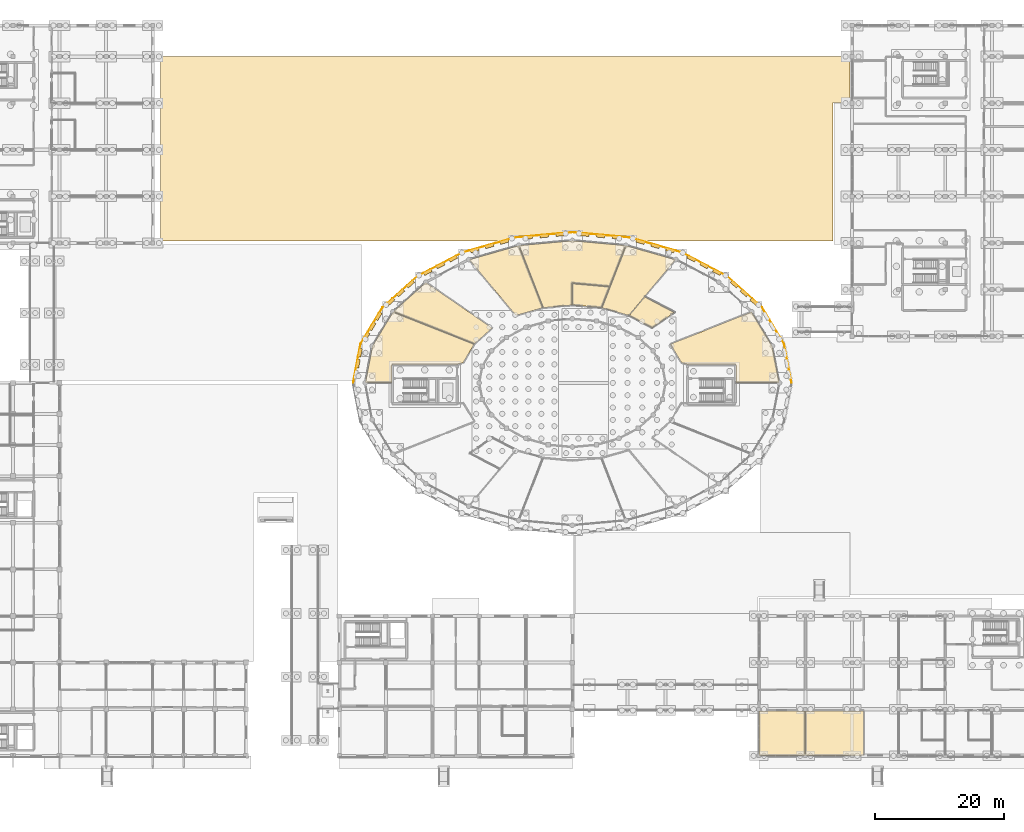
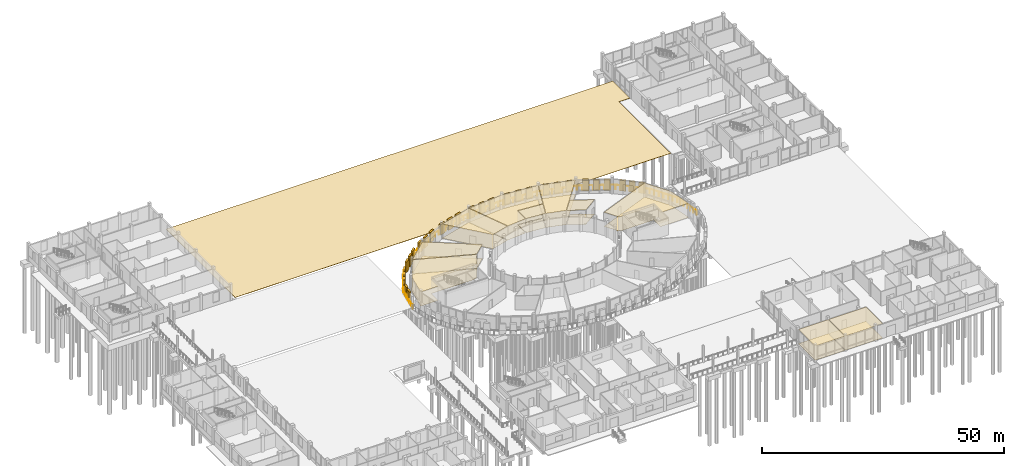
# One storey, part 95 of 98: 29 shading devices, 21 coverings, 2 railings.
"""IFC4 building model written with IfcOpenShell, lengths in metres."""

from ifc_helpers import new_model, si_unit, direction, frame, origin, origin_2d, place, context, subcontext, project, spatial, polyline, rectangle, circle, outline, extrude, material, layer, layer_set, type_object, element, save


model = new_model("IFC4")

# Units and contexts
model_context = context("Model", 3, precision=1e-05, world=origin(), true_north=direction((0.0, 1.0)))
body_context = subcontext(model_context, "Body", "Model", "MODEL_VIEW")
ifc_project = project(units=[si_unit("LENGTHUNIT", "METRE"), si_unit("AREAUNIT", "SQUARE_METRE"), si_unit("VOLUMEUNIT", "CUBIC_METRE"), si_unit("PLANEANGLEUNIT", "RADIAN"), si_unit("MASSUNIT", "GRAM", prefix="KILO")], contexts=[model_context])

# Site, building, storey
site_placement = place(None, origin())
site = spatial("IfcSite", under=ifc_project, at=site_placement, CompositionType="ELEMENT")
building_placement = place(site_placement, origin())
building = spatial("IfcBuilding", under=site, at=building_placement, Name="Zornivar Specialist Clinic", CompositionType="ELEMENT")
storey_placement = place(building_placement, origin())
storey = spatial("IfcBuildingStorey", under=building, at=storey_placement, Name="L00", CompositionType="ELEMENT", Elevation=0.0)

# Coverings
ifc_material_1 = material(Name="Washable Acoustic Mineral Clinical Ceiling")
ifc_layer_1 = layer(ifc_material_1, 0.01806640625)
ifc_layer_set_1 = layer_set([ifc_layer_1], Name="Washable Acoustic Mineral Clinical Ceiling")
covering_type_1 = type_object("IfcCoveringType", Name="COV-CEIL-CLIN-18", PredefinedType="CEILING", material=ifc_layer_set_1)
covering_1_placement = place(storey_placement, frame((0.0, 0.0, 3.572021484375)))
element("IfcCovering", 1, at=covering_1_placement, inside=storey, type_object=covering_type_1, Name="ceil:space:V1:L00:rm:01", PredefinedType="CEILING", context=body_context, shape_type="SweptSolid", body=[
    extrude(outline(polyline([(118.840087890625, 60.43994140625), (111.406005859375, 60.43994140625), (110.471923828125, 60.737060546875), (108.762939453125, 63.574951171875), (121.2958984375, 68.550048828125), (124.471923828125, 63.279052734375), (125.552001953125, 57.639892578125), (118.840087890625, 57.639892578125), (118.840087890625, 60.43994140625)])), origin(), (0.0, 0.0, 1.0), 0.01806640625),
])
covering_2_placement = place(storey_placement, frame((0.0, 0.0, 3.572021484375)))
element("IfcCovering", 2, at=covering_2_placement, inside=storey, type_object=covering_type_1, Name="ceil:space:V1:L00:rm:02", PredefinedType="CEILING", context=body_context, shape_type="SweptSolid", body=[
    extrude(outline(polyline([(104.804931640625, 70.881103515625), (109.35498046875, 68.47998046875), (105.928955078125, 66.125), (102.383056640625, 67.99609375), (104.804931640625, 70.881103515625)])), origin(), (0.0, 0.0, 1.0), 0.01806640625),
])
covering_3_placement = place(storey_placement, frame((0.0, 0.0, 3.572021484375)))
element("IfcCovering", 3, at=covering_3_placement, inside=storey, type_object=covering_type_1, Name="ceil:space:V1:L00:rm:03", PredefinedType="CEILING", context=body_context, shape_type="SweptSolid", body=[
    extrude(outline(polyline([(101.906005859375, 78.802001953125), (109.530029296875, 76.631103515625), (102.305908203125, 68.030029296875), (98.1669921875, 69.20703125), (101.906005859375, 78.802001953125)])), origin(), (0.0, 0.0, 1.0), 0.01806640625),
])
covering_4_placement = place(storey_placement, frame((0.0, 0.0, 3.572021484375)))
element("IfcCovering", 4, at=covering_4_placement, inside=storey, type_object=covering_type_1, Name="ceil:space:V1:L00:rm:04", PredefinedType="CEILING", context=body_context, shape_type="SweptSolid", body=[
    extrude(outline(polyline([(93.639892578125, 72.948974609375), (99.337890625, 72.43310546875), (98.087890625, 69.22412109375), (93.639892578125, 69.626953125), (93.639892578125, 72.948974609375)])), origin(), (0.0, 0.0, 1.0), 0.01806640625),
])
covering_5_placement = place(storey_placement, frame((0.0, 0.0, 3.572021484375)))
element("IfcCovering", 5, at=covering_5_placement, inside=storey, type_object=covering_type_1, Name="ceil:space:V1:L00:rm:05", PredefinedType="CEILING", context=body_context, shape_type="SweptSolid", body=[
    extrude(outline(polyline([(85.375, 78.81494140625), (93.60009765625, 79.56005859375), (101.824951171875, 78.81494140625), (99.368896484375, 72.510986328125), (93.56005859375, 73.037109375), (93.56005859375, 69.626953125), (89.112060546875, 69.22412109375), (85.375, 78.81494140625)])), origin(), (0.0, 0.0, 1.0), 0.01806640625),
])
covering_6_placement = place(storey_placement, frame((0.0, 0.0, 3.572021484375)))
element("IfcCovering", 6, at=covering_6_placement, inside=storey, type_object=covering_type_1, Name="ceil:space:V1:L00:rm:06", PredefinedType="CEILING", context=body_context, shape_type="SweptSolid", body=[
    extrude(outline(polyline([(77.669921875, 76.631103515625), (85.2939453125, 78.802001953125), (89.032958984375, 69.20703125), (84.89404296875, 68.030029296875), (77.669921875, 76.631103515625)])), origin(), (0.0, 0.0, 1.0), 0.01806640625),
])
covering_7_placement = place(storey_placement, frame((0.0, 0.0, 3.572021484375)))
element("IfcCovering", 7, at=covering_7_placement, inside=storey, type_object=covering_type_1, Name="ceil:space:V1:L00:rm:07", PredefinedType="CEILING", context=body_context, shape_type="SweptSolid", body=[
    extrude(outline(polyline([(65.9619140625, 68.613037109375), (70.97607421875, 73.10498046875), (81.202880859375, 66.073974609375), (78.488037109375, 63.64111328125), (65.9619140625, 68.613037109375)])), origin(), (0.0, 0.0, 1.0), 0.01806640625),
])
covering_8_placement = place(storey_placement, frame((0.0, 0.0, 3.572021484375)))
element("IfcCovering", 8, at=covering_8_placement, inside=storey, type_object=covering_type_1, Name="ceil:space:V1:L00:rm:08", PredefinedType="CEILING", context=body_context, shape_type="SweptSolid", body=[
    extrude(outline(polyline([(65.760009765625, 60.43994140625), (65.760009765625, 57.639892578125), (61.64794921875, 57.639892578125), (62.72802734375, 63.279052734375), (65.904052734375, 68.550048828125), (78.43701171875, 63.574951171875), (76.72802734375, 60.737060546875), (75.7939453125, 60.43994140625), (65.760009765625, 60.43994140625)])), origin(), (0.0, 0.0, 1.0), 0.01806640625),
])
covering_9_placement = place(storey_placement, frame((0.0, 0.0, 3.58203125)))
element("IfcCovering", 9, at=covering_9_placement, inside=storey, type_object=covering_type_1, Name="ceil:space:V4:L00:rm:00", PredefinedType="CEILING", context=body_context, shape_type="SweptSolid", body=[
    extrude(outline(polyline([(129.56005859375, 6.9599609375), (129.56005859375, 0.0400390625), (122.43994140625, 0.0400390625), (122.43994140625, 6.9599609375), (129.56005859375, 6.9599609375)])), origin(), (0.0, 0.0, 1.0), 0.01806640625),
])
covering_10_placement = place(storey_placement, frame((0.0, 0.0, 3.58203125)))
element("IfcCovering", 10, at=covering_10_placement, inside=storey, type_object=covering_type_1, Name="ceil:space:V4:L00:rm:02", PredefinedType="CEILING", context=body_context, shape_type="SweptSolid", body=[
    extrude(outline(polyline([(138.56005859375, 0.0400390625), (129.639892578125, 0.0400390625), (129.639892578125, 6.9599609375), (138.56005859375, 6.9599609375), (138.56005859375, 0.0400390625)])), origin(), (0.0, 0.0, 1.0), 0.01806640625),
])
ifc_material_2 = material(Name="Homogeneous Anti-Static Clinical Vinyl Flooring")
ifc_layer_2 = layer(ifc_material_2, 0.011962890625)
ifc_layer_set_2 = layer_set([ifc_layer_2], Name="Homogeneous Anti-Static Clinical Vinyl Flooring")
covering_type_2 = type_object("IfcCoveringType", Name="COV-FLR-VINYL-12", PredefinedType="FLOORING", material=ifc_layer_set_2)
covering_11_placement = place(storey_placement, origin())
element("IfcCovering", 11, at=covering_11_placement, inside=storey, type_object=covering_type_2, Name="flr:space:V1:L00:rm:01", PredefinedType="FLOORING", context=body_context, shape_type="SweptSolid", body=[
    extrude(outline(polyline([(118.840087890625, 60.43994140625), (111.406005859375, 60.43994140625), (110.471923828125, 60.737060546875), (108.762939453125, 63.574951171875), (121.2958984375, 68.550048828125), (124.471923828125, 63.279052734375), (125.552001953125, 57.639892578125), (118.840087890625, 57.639892578125), (118.840087890625, 60.43994140625)])), origin(), (0.0, 0.0, 1.0), 0.011962890625),
])
covering_12_placement = place(storey_placement, origin())
element("IfcCovering", 12, at=covering_12_placement, inside=storey, type_object=covering_type_2, Name="flr:space:V1:L00:rm:02", PredefinedType="FLOORING", context=body_context, shape_type="SweptSolid", body=[
    extrude(outline(polyline([(104.804931640625, 70.881103515625), (109.35498046875, 68.47998046875), (105.928955078125, 66.125), (102.383056640625, 67.99609375), (104.804931640625, 70.881103515625)])), origin(), (0.0, 0.0, 1.0), 0.011962890625),
])
covering_13_placement = place(storey_placement, origin())
element("IfcCovering", 13, at=covering_13_placement, inside=storey, type_object=covering_type_2, Name="flr:space:V1:L00:rm:03", PredefinedType="FLOORING", context=body_context, shape_type="SweptSolid", body=[
    extrude(outline(polyline([(101.906005859375, 78.802001953125), (109.530029296875, 76.631103515625), (102.305908203125, 68.030029296875), (98.1669921875, 69.20703125), (101.906005859375, 78.802001953125)])), origin(), (0.0, 0.0, 1.0), 0.011962890625),
])
covering_14_placement = place(storey_placement, origin())
element("IfcCovering", 14, at=covering_14_placement, inside=storey, type_object=covering_type_2, Name="flr:space:V1:L00:rm:04", PredefinedType="FLOORING", context=body_context, shape_type="SweptSolid", body=[
    extrude(outline(polyline([(93.639892578125, 72.948974609375), (99.337890625, 72.43310546875), (98.087890625, 69.22412109375), (93.639892578125, 69.626953125), (93.639892578125, 72.948974609375)])), origin(), (0.0, 0.0, 1.0), 0.011962890625),
])
covering_15_placement = place(storey_placement, origin())
element("IfcCovering", 15, at=covering_15_placement, inside=storey, type_object=covering_type_2, Name="flr:space:V1:L00:rm:05", PredefinedType="FLOORING", context=body_context, shape_type="SweptSolid", body=[
    extrude(outline(polyline([(85.375, 78.81494140625), (93.60009765625, 79.56005859375), (101.824951171875, 78.81494140625), (99.368896484375, 72.510986328125), (93.56005859375, 73.037109375), (93.56005859375, 69.626953125), (89.112060546875, 69.22412109375), (85.375, 78.81494140625)])), origin(), (0.0, 0.0, 1.0), 0.011962890625),
])
covering_16_placement = place(storey_placement, origin())
element("IfcCovering", 16, at=covering_16_placement, inside=storey, type_object=covering_type_2, Name="flr:space:V1:L00:rm:06", PredefinedType="FLOORING", context=body_context, shape_type="SweptSolid", body=[
    extrude(outline(polyline([(77.669921875, 76.631103515625), (85.2939453125, 78.802001953125), (89.032958984375, 69.20703125), (84.89404296875, 68.030029296875), (77.669921875, 76.631103515625)])), origin(), (0.0, 0.0, 1.0), 0.011962890625),
])
covering_17_placement = place(storey_placement, origin())
element("IfcCovering", 17, at=covering_17_placement, inside=storey, type_object=covering_type_2, Name="flr:space:V1:L00:rm:07", PredefinedType="FLOORING", context=body_context, shape_type="SweptSolid", body=[
    extrude(outline(polyline([(65.9619140625, 68.613037109375), (70.97607421875, 73.10498046875), (81.202880859375, 66.073974609375), (78.488037109375, 63.64111328125), (65.9619140625, 68.613037109375)])), origin(), (0.0, 0.0, 1.0), 0.011962890625),
])
covering_18_placement = place(storey_placement, origin())
element("IfcCovering", 18, at=covering_18_placement, inside=storey, type_object=covering_type_2, Name="flr:space:V1:L00:rm:08", PredefinedType="FLOORING", context=body_context, shape_type="SweptSolid", body=[
    extrude(outline(polyline([(65.760009765625, 60.43994140625), (65.760009765625, 57.639892578125), (61.64794921875, 57.639892578125), (62.72802734375, 63.279052734375), (65.904052734375, 68.550048828125), (78.43701171875, 63.574951171875), (76.72802734375, 60.737060546875), (75.7939453125, 60.43994140625), (65.760009765625, 60.43994140625)])), origin(), (0.0, 0.0, 1.0), 0.011962890625),
])
covering_19_placement = place(storey_placement, origin())
element("IfcCovering", 19, at=covering_19_placement, inside=storey, type_object=covering_type_2, Name="flr:space:V4:L00:rm:00", PredefinedType="FLOORING", context=body_context, shape_type="SweptSolid", body=[
    extrude(outline(polyline([(129.56005859375, 6.9599609375), (129.56005859375, 0.0400390625), (122.43994140625, 0.0400390625), (122.43994140625, 6.9599609375), (129.56005859375, 6.9599609375)])), origin(), (0.0, 0.0, 1.0), 0.011962890625),
])
covering_20_placement = place(storey_placement, origin())
element("IfcCovering", 20, at=covering_20_placement, inside=storey, type_object=covering_type_2, Name="flr:space:V4:L00:rm:02", PredefinedType="FLOORING", context=body_context, shape_type="SweptSolid", body=[
    extrude(outline(polyline([(138.56005859375, 0.0400390625), (129.639892578125, 0.0400390625), (129.639892578125, 6.9599609375), (138.56005859375, 6.9599609375), (138.56005859375, 0.0400390625)])), origin(), (0.0, 0.0, 1.0), 0.011962890625),
])
ifc_material_3 = material(Name="Bush-Hammered Vratsa Limestone Courtyard Paving", Category="masonry")
ifc_layer_3 = layer(ifc_material_3, 0.06005859375)
ifc_layer_set_3 = layer_set([ifc_layer_3], Name="Bush-Hammered Vratsa Limestone Courtyard Paving")
covering_type_3 = type_object("IfcCoveringType", Name="COV-PAVING-STONE-60", PredefinedType="USERDEFINED", material=ifc_layer_set_3)
covering_21_placement = place(storey_placement, frame((0.0, 0.0, -0.06005859375)))
element("IfcCovering", 21, at=covering_21_placement, inside=storey, type_object=covering_type_3, Name="cov:paving:L00:2:north_drum_garden", ObjectType="PAVING", PredefinedType="USERDEFINED", context=body_context, shape_type="SweptSolid", body=[
    extrude(outline(polyline([(105.012939453125, 79.5), (102.40087890625, 80.242919921875), (93.60009765625, 81.0400390625), (84.799072265625, 80.242919921875), (82.18701171875, 79.5), (30.0, 79.5), (30.0, 108.0), (136.5, 108.0), (136.5, 100.919921875), (133.8798828125, 100.919921875), (133.8798828125, 79.5), (105.012939453125, 79.5)])), origin(), (0.0, 0.0, 1.0), 0.06005859375),
])

# Railings
ifc_material_4 = material(Name="Painted Steel and Oiled Timber Balustrade", Category="steel")
railing_type = type_object("IfcRailingType", Name="GRD-EXT-BALUST-1100", PredefinedType="BALUSTRADE", material=ifc_material_4)
railing_1_placement = place(storey_placement, frame((127.4541015625, 57.62890625, 0.0)))
element("IfcRailing", 22, at=railing_1_placement, inside=storey, type_object=railing_type, Name="rail:V1:L00:balc:q0", PredefinedType="BALUSTRADE", context=body_context, shape_type="SweptSolid", body=[
    extrude(circle(Radius=0.02392578125, at=origin_2d()), frame((0.0, 0.0, 1.076171875), z_axis=(-0.188227386656, 0.982125476155, 0.0), x_axis=(-0.982125476155, -0.188227386656, 0.0)), (0.0, 0.0, 1.0), 6.105224609375),
    extrude(circle(Radius=0.02392578125, at=origin_2d()), frame((-1.149169921875, 5.99609375, 1.076171875), z_axis=(-0.516422508188, 0.856333926127, 0.0), x_axis=(-0.856333926127, -0.516422508188, 0.0)), (0.0, 0.0, 1.0), 6.5546875),
    extrude(circle(Radius=0.02392578125, at=origin_2d()), frame((-4.5341796875, 11.609130859375, 1.076171875), z_axis=(-0.745201542332, 0.666839306959, 0.0), x_axis=(-0.666839306959, -0.745201542332, 0.0)), (0.0, 0.0, 1.0), 7.224853515625),
    extrude(circle(Radius=0.02392578125, at=origin_2d()), frame((-9.918212890625, 16.427001953125, 1.076171875), z_axis=(-0.884811989173, 0.465948220101, 0.0), x_axis=(-0.465948220101, -0.884811989173, 0.0)), (0.0, 0.0, 1.0), 7.92822265625),
    extrude(circle(Radius=0.02392578125, at=origin_2d()), frame((-16.93310546875, 20.12109375, 1.076171875), z_axis=(-0.961942919035, 0.273250472127, 0.0), x_axis=(-0.273250472127, -0.961942919035, 0.0)), (0.0, 0.0, 1.0), 8.487060546875),
    extrude(circle(Radius=0.02392578125, at=origin_2d()), frame((-25.09716796875, 22.440185546875, 1.076171875), z_axis=(-0.995949875612, 0.089910206697, 0.0), x_axis=(-0.089910206697, -0.995949875612, 0.0)), (0.0, 0.0, 1.0), 8.762451171875),
    extrude(circle(Radius=0.02099609375, at=origin_2d()), origin(), (0.0, 0.0, 1.0), 1.052001953125),
    extrude(circle(Radius=0.02099609375, at=origin_2d()), frame((-0.19140625, 0.999267578125, 0.0)), (0.0, 0.0, 1.0), 1.052001953125),
    extrude(circle(Radius=0.02099609375, at=origin_2d()), frame((-0.383056640625, 1.998779296875, 0.0)), (0.0, 0.0, 1.0), 1.052001953125),
    extrude(circle(Radius=0.02099609375, at=origin_2d()), frame((-0.57470703125, 2.998046875, 0.0)), (0.0, 0.0, 1.0), 1.052001953125),
    extrude(circle(Radius=0.02099609375, at=origin_2d()), frame((-0.76611328125, 3.997314453125, 0.0)), (0.0, 0.0, 1.0), 1.052001953125),
    extrude(circle(Radius=0.02099609375, at=origin_2d()), frame((-0.95751953125, 4.996826171875, 0.0)), (0.0, 0.0, 1.0), 1.052001953125),
    extrude(circle(Radius=0.02099609375, at=origin_2d()), frame((-1.149169921875, 5.99609375, 0.0)), (0.0, 0.0, 1.0), 1.052001953125),
    extrude(circle(Radius=0.02099609375, at=origin_2d()), frame((-1.71337890625, 6.931640625, 0.0)), (0.0, 0.0, 1.0), 1.052001953125),
    extrude(circle(Radius=0.02099609375, at=origin_2d()), frame((-2.277587890625, 7.8671875, 0.0)), (0.0, 0.0, 1.0), 1.052001953125),
    extrude(circle(Radius=0.02099609375, at=origin_2d()), frame((-2.841796875, 8.802734375, 0.0)), (0.0, 0.0, 1.0), 1.052001953125),
    extrude(circle(Radius=0.02099609375, at=origin_2d()), frame((-3.40576171875, 9.738037109375, 0.0)), (0.0, 0.0, 1.0), 1.052001953125),
    extrude(circle(Radius=0.02099609375, at=origin_2d()), frame((-3.969970703125, 10.673583984375, 0.0)), (0.0, 0.0, 1.0), 1.052001953125),
    extrude(circle(Radius=0.02099609375, at=origin_2d()), frame((-4.5341796875, 11.609130859375, 0.0)), (0.0, 0.0, 1.0), 1.052001953125),
    extrude(circle(Radius=0.02099609375, at=origin_2d()), frame((-5.30322265625, 12.29736328125, 0.0)), (0.0, 0.0, 1.0), 1.052001953125),
    extrude(circle(Radius=0.02099609375, at=origin_2d()), frame((-6.072509765625, 12.985595703125, 0.0)), (0.0, 0.0, 1.0), 1.052001953125),
    extrude(circle(Radius=0.02099609375, at=origin_2d()), frame((-6.841552734375, 13.673828125, 0.0)), (0.0, 0.0, 1.0), 1.052001953125),
    extrude(circle(Radius=0.02099609375, at=origin_2d()), frame((-7.61083984375, 14.3623046875, 0.0)), (0.0, 0.0, 1.0), 1.052001953125),
    extrude(circle(Radius=0.02099609375, at=origin_2d()), frame((-8.3798828125, 15.050537109375, 0.0)), (0.0, 0.0, 1.0), 1.052001953125),
    extrude(circle(Radius=0.02099609375, at=origin_2d()), frame((-9.149169921875, 15.73876953125, 0.0)), (0.0, 0.0, 1.0), 1.052001953125),
    extrude(circle(Radius=0.02099609375, at=origin_2d()), frame((-9.918212890625, 16.427001953125, 0.0)), (0.0, 0.0, 1.0), 1.052001953125),
    extrude(circle(Radius=0.02099609375, at=origin_2d()), frame((-10.92041015625, 16.954833984375, 0.0)), (0.0, 0.0, 1.0), 1.052001953125),
    extrude(circle(Radius=0.02099609375, at=origin_2d()), frame((-11.92236328125, 17.482421875, 0.0)), (0.0, 0.0, 1.0), 1.052001953125),
    extrude(circle(Radius=0.02099609375, at=origin_2d()), frame((-12.924560546875, 18.01025390625, 0.0)), (0.0, 0.0, 1.0), 1.052001953125),
    extrude(circle(Radius=0.02099609375, at=origin_2d()), frame((-13.9267578125, 18.537841796875, 0.0)), (0.0, 0.0, 1.0), 1.052001953125),
    extrude(circle(Radius=0.02099609375, at=origin_2d()), frame((-14.928955078125, 19.065673828125, 0.0)), (0.0, 0.0, 1.0), 1.052001953125),
    extrude(circle(Radius=0.02099609375, at=origin_2d()), frame((-15.930908203125, 19.59326171875, 0.0)), (0.0, 0.0, 1.0), 1.052001953125),
    extrude(circle(Radius=0.02099609375, at=origin_2d()), frame((-16.93310546875, 20.12109375, 0.0)), (0.0, 0.0, 1.0), 1.052001953125),
    extrude(circle(Radius=0.02099609375, at=origin_2d()), frame((-17.95361328125, 20.410888671875, 0.0)), (0.0, 0.0, 1.0), 1.052001953125),
    extrude(circle(Radius=0.02099609375, at=origin_2d()), frame((-18.97412109375, 20.700927734375, 0.0)), (0.0, 0.0, 1.0), 1.052001953125),
    extrude(circle(Radius=0.02099609375, at=origin_2d()), frame((-19.99462890625, 20.99072265625, 0.0)), (0.0, 0.0, 1.0), 1.052001953125),
    extrude(circle(Radius=0.02099609375, at=origin_2d()), frame((-21.01513671875, 21.28076171875, 0.0)), (0.0, 0.0, 1.0), 1.052001953125),
    extrude(circle(Radius=0.02099609375, at=origin_2d()), frame((-22.03564453125, 21.570556640625, 0.0)), (0.0, 0.0, 1.0), 1.052001953125),
    extrude(circle(Radius=0.02099609375, at=origin_2d()), frame((-23.05615234375, 21.8603515625, 0.0)), (0.0, 0.0, 1.0), 1.052001953125),
    extrude(circle(Radius=0.02099609375, at=origin_2d()), frame((-24.07666015625, 22.150390625, 0.0)), (0.0, 0.0, 1.0), 1.052001953125),
    extrude(circle(Radius=0.02099609375, at=origin_2d()), frame((-25.09716796875, 22.440185546875, 0.0)), (0.0, 0.0, 1.0), 1.052001953125),
    extrude(circle(Radius=0.02099609375, at=origin_2d()), frame((-26.18798828125, 22.53857421875, 0.0)), (0.0, 0.0, 1.0), 1.052001953125),
    extrude(circle(Radius=0.02099609375, at=origin_2d()), frame((-27.27880859375, 22.63720703125, 0.0)), (0.0, 0.0, 1.0), 1.052001953125),
    extrude(circle(Radius=0.02099609375, at=origin_2d()), frame((-28.369873046875, 22.735595703125, 0.0)), (0.0, 0.0, 1.0), 1.052001953125),
    extrude(circle(Radius=0.02099609375, at=origin_2d()), frame((-29.460693359375, 22.833984375, 0.0)), (0.0, 0.0, 1.0), 1.052001953125),
    extrude(circle(Radius=0.02099609375, at=origin_2d()), frame((-30.551513671875, 22.9326171875, 0.0)), (0.0, 0.0, 1.0), 1.052001953125),
    extrude(circle(Radius=0.02099609375, at=origin_2d()), frame((-31.642578125, 23.031005859375, 0.0)), (0.0, 0.0, 1.0), 1.052001953125),
    extrude(circle(Radius=0.02099609375, at=origin_2d()), frame((-32.7333984375, 23.129638671875, 0.0)), (0.0, 0.0, 1.0), 1.052001953125),
    extrude(circle(Radius=0.02099609375, at=origin_2d()), frame((-33.82421875, 23.22802734375, 0.0)), (0.0, 0.0, 1.0), 1.052001953125),
])
railing_2_placement = place(storey_placement, frame((93.570068359375, 80.85693359375, 0.0)))
element("IfcRailing", 23, at=railing_2_placement, inside=storey, type_object=railing_type, Name="rail:V1:L00:balc:q1", PredefinedType="BALUSTRADE", context=body_context, shape_type="SweptSolid", body=[
    extrude(circle(Radius=0.02392578125, at=origin_2d()), frame((0.0, 0.0, 1.076171875), z_axis=(-0.995949875612, -0.089910206697, 0.0), x_axis=(0.089910206697, -0.995949875612, 0.0)), (0.0, 0.0, 1.0), 8.762451171875),
    extrude(circle(Radius=0.02392578125, at=origin_2d()), frame((-8.72705078125, -0.787841796875, 1.076171875), z_axis=(-0.961942919035, -0.273250472127, 0.0), x_axis=(0.273250472127, -0.961942919035, 0.0)), (0.0, 0.0, 1.0), 8.487060546875),
    extrude(circle(Radius=0.02392578125, at=origin_2d()), frame((-16.89111328125, -3.10693359375, 1.076171875), z_axis=(-0.884811989173, -0.465948220101, 0.0), x_axis=(0.465948220101, -0.884811989173, 0.0)), (0.0, 0.0, 1.0), 7.92822265625),
    extrude(circle(Radius=0.02392578125, at=origin_2d()), frame((-23.906005859375, -6.801025390625, 1.076171875), z_axis=(-0.745201542332, -0.666839306959, 0.0), x_axis=(0.666839306959, -0.745201542332, 0.0)), (0.0, 0.0, 1.0), 7.224853515625),
    extrude(circle(Radius=0.02392578125, at=origin_2d()), frame((-29.2900390625, -11.618896484375, 1.076171875), z_axis=(-0.516422508188, -0.856333926127, 0.0), x_axis=(0.856333926127, -0.516422508188, 0.0)), (0.0, 0.0, 1.0), 6.5546875),
    extrude(circle(Radius=0.02392578125, at=origin_2d()), frame((-32.675048828125, -17.23193359375, 1.076171875), z_axis=(-0.188188814184, -0.982132867903, 0.0), x_axis=(0.982132867903, -0.188188814184, 0.0)), (0.0, 0.0, 1.0), 6.105224609375),
    extrude(circle(Radius=0.02099609375, at=origin_2d()), origin(), (0.0, 0.0, 1.0), 1.052001953125),
    extrude(circle(Radius=0.02099609375, at=origin_2d()), frame((-1.0908203125, -0.098388671875, 0.0)), (0.0, 0.0, 1.0), 1.052001953125),
    extrude(circle(Radius=0.02099609375, at=origin_2d()), frame((-2.181640625, -0.197021484375, 0.0)), (0.0, 0.0, 1.0), 1.052001953125),
    extrude(circle(Radius=0.02099609375, at=origin_2d()), frame((-3.272705078125, -0.29541015625, 0.0)), (0.0, 0.0, 1.0), 1.052001953125),
    extrude(circle(Radius=0.02099609375, at=origin_2d()), frame((-4.363525390625, -0.39404296875, 0.0)), (0.0, 0.0, 1.0), 1.052001953125),
    extrude(circle(Radius=0.02099609375, at=origin_2d()), frame((-5.454345703125, -0.492431640625, 0.0)), (0.0, 0.0, 1.0), 1.052001953125),
    extrude(circle(Radius=0.02099609375, at=origin_2d()), frame((-6.54541015625, -0.5908203125, 0.0)), (0.0, 0.0, 1.0), 1.052001953125),
    extrude(circle(Radius=0.02099609375, at=origin_2d()), frame((-7.63623046875, -0.689453125, 0.0)), (0.0, 0.0, 1.0), 1.052001953125),
    extrude(circle(Radius=0.02099609375, at=origin_2d()), frame((-8.72705078125, -0.787841796875, 0.0)), (0.0, 0.0, 1.0), 1.052001953125),
    extrude(circle(Radius=0.02099609375, at=origin_2d()), frame((-9.74755859375, -1.07763671875, 0.0)), (0.0, 0.0, 1.0), 1.052001953125),
    extrude(circle(Radius=0.02099609375, at=origin_2d()), frame((-10.76806640625, -1.36767578125, 0.0)), (0.0, 0.0, 1.0), 1.052001953125),
    extrude(circle(Radius=0.02099609375, at=origin_2d()), frame((-11.78857421875, -1.657470703125, 0.0)), (0.0, 0.0, 1.0), 1.052001953125),
    extrude(circle(Radius=0.02099609375, at=origin_2d()), frame((-12.80908203125, -1.947265625, 0.0)), (0.0, 0.0, 1.0), 1.052001953125),
    extrude(circle(Radius=0.02099609375, at=origin_2d()), frame((-13.82958984375, -2.2373046875, 0.0)), (0.0, 0.0, 1.0), 1.052001953125),
    extrude(circle(Radius=0.02099609375, at=origin_2d()), frame((-14.85009765625, -2.527099609375, 0.0)), (0.0, 0.0, 1.0), 1.052001953125),
    extrude(circle(Radius=0.02099609375, at=origin_2d()), frame((-15.87060546875, -2.817138671875, 0.0)), (0.0, 0.0, 1.0), 1.052001953125),
    extrude(circle(Radius=0.02099609375, at=origin_2d()), frame((-16.89111328125, -3.10693359375, 0.0)), (0.0, 0.0, 1.0), 1.052001953125),
    extrude(circle(Radius=0.02099609375, at=origin_2d()), frame((-17.893310546875, -3.634765625, 0.0)), (0.0, 0.0, 1.0), 1.052001953125),
    extrude(circle(Radius=0.02099609375, at=origin_2d()), frame((-18.895263671875, -4.162353515625, 0.0)), (0.0, 0.0, 1.0), 1.052001953125),
    extrude(circle(Radius=0.02099609375, at=origin_2d()), frame((-19.8974609375, -4.690185546875, 0.0)), (0.0, 0.0, 1.0), 1.052001953125),
    extrude(circle(Radius=0.02099609375, at=origin_2d()), frame((-20.899658203125, -5.2177734375, 0.0)), (0.0, 0.0, 1.0), 1.052001953125),
    extrude(circle(Radius=0.02099609375, at=origin_2d()), frame((-21.90185546875, -5.74560546875, 0.0)), (0.0, 0.0, 1.0), 1.052001953125),
    extrude(circle(Radius=0.02099609375, at=origin_2d()), frame((-22.90380859375, -6.273193359375, 0.0)), (0.0, 0.0, 1.0), 1.052001953125),
    extrude(circle(Radius=0.02099609375, at=origin_2d()), frame((-23.906005859375, -6.801025390625, 0.0)), (0.0, 0.0, 1.0), 1.052001953125),
    extrude(circle(Radius=0.02099609375, at=origin_2d()), frame((-24.675048828125, -7.4892578125, 0.0)), (0.0, 0.0, 1.0), 1.052001953125),
    extrude(circle(Radius=0.02099609375, at=origin_2d()), frame((-25.4443359375, -8.177490234375, 0.0)), (0.0, 0.0, 1.0), 1.052001953125),
    extrude(circle(Radius=0.02099609375, at=origin_2d()), frame((-26.21337890625, -8.86572265625, 0.0)), (0.0, 0.0, 1.0), 1.052001953125),
    extrude(circle(Radius=0.02099609375, at=origin_2d()), frame((-26.982666015625, -9.55419921875, 0.0)), (0.0, 0.0, 1.0), 1.052001953125),
    extrude(circle(Radius=0.02099609375, at=origin_2d()), frame((-27.751708984375, -10.242431640625, 0.0)), (0.0, 0.0, 1.0), 1.052001953125),
    extrude(circle(Radius=0.02099609375, at=origin_2d()), frame((-28.52099609375, -10.9306640625, 0.0)), (0.0, 0.0, 1.0), 1.052001953125),
    extrude(circle(Radius=0.02099609375, at=origin_2d()), frame((-29.2900390625, -11.618896484375, 0.0)), (0.0, 0.0, 1.0), 1.052001953125),
    extrude(circle(Radius=0.02099609375, at=origin_2d()), frame((-29.854248046875, -12.554443359375, 0.0)), (0.0, 0.0, 1.0), 1.052001953125),
    extrude(circle(Radius=0.02099609375, at=origin_2d()), frame((-30.41845703125, -13.489990234375, 0.0)), (0.0, 0.0, 1.0), 1.052001953125),
    extrude(circle(Radius=0.02099609375, at=origin_2d()), frame((-30.982421875, -14.42529296875, 0.0)), (0.0, 0.0, 1.0), 1.052001953125),
    extrude(circle(Radius=0.02099609375, at=origin_2d()), frame((-31.546630859375, -15.36083984375, 0.0)), (0.0, 0.0, 1.0), 1.052001953125),
    extrude(circle(Radius=0.02099609375, at=origin_2d()), frame((-32.11083984375, -16.29638671875, 0.0)), (0.0, 0.0, 1.0), 1.052001953125),
    extrude(circle(Radius=0.02099609375, at=origin_2d()), frame((-32.675048828125, -17.23193359375, 0.0)), (0.0, 0.0, 1.0), 1.052001953125),
    extrude(circle(Radius=0.02099609375, at=origin_2d()), frame((-32.866455078125, -18.231201171875, 0.0)), (0.0, 0.0, 1.0), 1.052001953125),
    extrude(circle(Radius=0.02099609375, at=origin_2d()), frame((-33.05810546875, -19.230712890625, 0.0)), (0.0, 0.0, 1.0), 1.052001953125),
    extrude(circle(Radius=0.02099609375, at=origin_2d()), frame((-33.24951171875, -20.22998046875, 0.0)), (0.0, 0.0, 1.0), 1.052001953125),
    extrude(circle(Radius=0.02099609375, at=origin_2d()), frame((-33.44091796875, -21.229248046875, 0.0)), (0.0, 0.0, 1.0), 1.052001953125),
    extrude(circle(Radius=0.02099609375, at=origin_2d()), frame((-33.632568359375, -22.228759765625, 0.0)), (0.0, 0.0, 1.0), 1.052001953125),
    extrude(circle(Radius=0.02099609375, at=origin_2d()), frame((-33.823974609375, -23.22802734375, 0.0)), (0.0, 0.0, 1.0), 1.052001953125),
])

# Shading devices
ifc_material_5 = material(Name="Oiled European Larch Timber Louvre Shutter", Category="wood")
shading_device_type = type_object("IfcShadingDeviceType", Name="SHD-DRUM-SHUTTER-450", PredefinedType="SHUTTER", material=ifc_material_5)
for number, where, z_axis, x_axis, name in (
    (24, (121.623046875, 70.135986328125, 0.0), (0.0, 0.0, 1.0), (-0.744796712128, 0.667291433785, 0.0), "shutter:V1:L00:c02:0"),
    (25, (120.114013671875, 71.489013671875, 0.0), (0.0, 0.0, 1.0), (-0.744796712128, 0.667291433785, 0.0), "shutter:V1:L00:c02:1"),
    (26, (118.60400390625, 72.841064453125, 0.0), (0.0, 0.0, 1.0), (-0.744796712128, 0.667291433785, 0.0), "shutter:V1:L00:c02:2"),
    (27, (115.923095703125, 74.68408203125, 0.0), (0.0, 0.0, 1.0), (-0.884469914632, 0.466597224713, 0.0), "shutter:V1:L00:c03:0"),
    (28, (113.9560546875, 75.721923828125, 0.0), (0.0, 0.0, 1.0), (-0.884469914632, 0.466597224713, 0.0), "shutter:V1:L00:c03:1"),
    (29, (111.989013671875, 76.760009765625, 0.0), (0.0, 0.0, 1.0), (-0.884469914632, 0.466597224713, 0.0), "shutter:V1:L00:c03:2"),
    (30, (108.69189453125, 78.068115234375, 0.0), (0.0, 0.0, 1.0), (-0.961785255901, 0.273804896838, 0.0), "shutter:V1:L00:c04:0"),
    (31, (106.40087890625, 78.719970703125, 0.0), (0.0, 0.0, 1.0), (-0.961785255901, 0.273804896838, 0.0), "shutter:V1:L00:c04:1"),
    (32, (104.110107421875, 79.3720703125, 0.0), (0.0, 0.0, 1.0), (-0.961785255901, 0.273804896838, 0.0), "shutter:V1:L00:c04:2"),
    (33, (100.425048828125, 80.051025390625, 0.0), (0.0, 0.0, 1.0), (-0.995924761284, 0.090187969607, 0.0), "shutter:V1:L00:c05:0"),
    (34, (97.967041015625, 80.27392578125, 0.0), (0.0, 0.0, 1.0), (-0.995924761284, 0.090187969607, 0.0), "shutter:V1:L00:c05:1"),
    (35, (95.509033203125, 80.49609375, 0.0), (0.0, 0.0, 1.0), (-0.995924761284, 0.090187969607, 0.0), "shutter:V1:L00:c05:2"),
    (36, (91.69091796875, 80.49609375, 0.0), (0.0, 0.0, 1.0), (-0.995924761284, -0.090187969607, 0.0), "shutter:V1:L00:c06:0"),
    (37, (89.23291015625, 80.27392578125, 0.0), (0.0, 0.0, 1.0), (-0.995924761284, -0.090187969607, 0.0), "shutter:V1:L00:c06:1"),
    (38, (86.77490234375, 80.051025390625, 0.0), (0.0, 0.0, 1.0), (-0.995924761284, -0.090187969607, 0.0), "shutter:V1:L00:c06:2"),
    (39, (83.090087890625, 79.3720703125, 0.0), (0.0, 0.0, 1.0), (-0.961785255901, -0.273804896838, 0.0), "shutter:V1:L00:c07:0"),
    (40, (80.799072265625, 78.719970703125, 0.0), (0.0, 0.0, 1.0), (-0.961785255901, -0.273804896838, 0.0), "shutter:V1:L00:c07:1"),
    (41, (78.508056640625, 78.068115234375, 0.0), (0.0, 0.0, 1.0), (-0.961785255901, -0.273804896838, 0.0), "shutter:V1:L00:c07:2"),
    (42, (75.2109375, 76.760009765625, 0.0), (0.0, 0.0, 1.0), (-0.884469914632, -0.466597224713, 0.0), "shutter:V1:L00:c08:0"),
    (43, (73.243896484375, 75.721923828125, 0.0), (0.0, 0.0, 1.0), (-0.884469914632, -0.466597224713, 0.0), "shutter:V1:L00:c08:1"),
    (44, (71.277099609375, 74.68408203125, 0.0), (0.0, 0.0, 1.0), (-0.884469914632, -0.466597224713, 0.0), "shutter:V1:L00:c08:2"),
    (45, (68.595947265625, 72.841064453125, 0.0), (0.0, 0.0, 1.0), (-0.744796712128, -0.667291433785, 0.0), "shutter:V1:L00:c09:0"),
    (46, (67.0859375, 71.489013671875, 0.0), (0.0, 0.0, 1.0), (-0.744796712128, -0.667291433785, 0.0), "shutter:V1:L00:c09:1"),
    (47, (65.576904296875, 70.135986328125, 0.0), (0.0, 0.0, 1.0), (-0.744796712128, -0.667291433785, 0.0), "shutter:V1:L00:c09:2"),
    (48, (63.693115234375, 67.89404296875, 0.0), (0.0, 0.0, 1.0), (-0.516018019467, -0.856577727696, 0.0), "shutter:V1:L00:c10:0"),
    (49, (62.743896484375, 66.319091796875, 0.0), (0.0, 0.0, 1.0), (-0.516018019467, -0.856577727696, 0.0), "shutter:V1:L00:c10:1"),
    (50, (61.7958984375, 64.743896484375, 0.0), (0.0, 0.0, 1.0), (-0.516018019467, -0.856577727696, 0.0), "shutter:V1:L00:c10:2"),
    (51, (60.826904296875, 62.260986328125, 0.0), (0.0, 0.0, 1.0), (-0.188098987302, -0.982150075587, 0.0), "shutter:V1:L00:c11:0"),
    (52, (60.50390625, 60.571044921875, 0.0), (0.0, 0.0, 1.0), (-0.188098987302, -0.982150075587, 0.0), "shutter:V1:L00:c11:1"),
):
    element("IfcShadingDevice", number, at=place(storey_placement, frame(where, z_axis=z_axis, x_axis=x_axis)), inside=storey, type_object=shading_device_type, Name=name, PredefinedType="SHUTTER", context=body_context, shape_type="SweptSolid", body=[
        extrude(rectangle(XDim=1.300048828125, YDim=0.449951171875, at=origin_2d()), origin(), (0.0, 0.0, 1.0), 2.64990234375),
    ])

save(model, "model.ifc")
